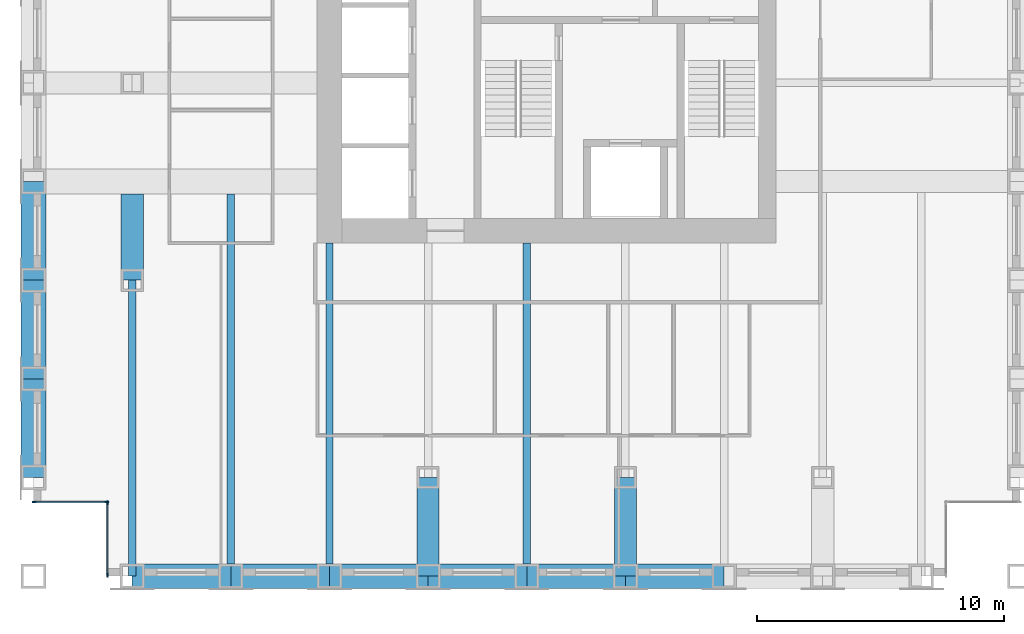
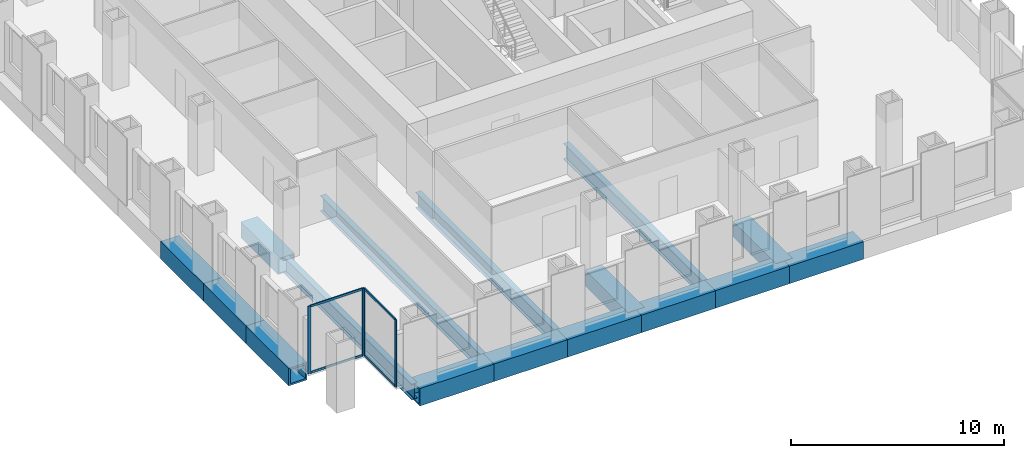
# One storey, part 2 of 12: 16 beams, 8 members, 2 elements without a shape of their own.
"""IFC4 building model written with IfcOpenShell, lengths in metres."""

import ifcopenshell
import ifcopenshell.guid

model = None  # the IFC model being written
_history = None  # IfcOwnerHistory: only IFC2X3 demands one
_inside = {}  # id of a spatial element -> (the spatial element, [elements in it])
_under = {}  # id of a project, library or spatial element -> (it, [spatial elements below it])
_declared = {}  # id of a project -> (the project, [libraries it declares])
_typed = {}  # id of a type object -> (the type object, [elements of that type])
_made_of = {}  # id of a material, layer set ... -> (it, [elements and type objects made of it])


def new_model(schema):
    """Start an empty IFC model of exactly this schema.

    Asked for "IFC4X3", IfcOpenShell would pick the latest addendum, in which some entities
    have other attributes; the version numbers below select the first issue.
    IFC2X3 requires an IfcOwnerHistory on every rooted entity: one is made here for all.
    """
    global model, _history
    if schema == "IFC4X3":
        model = ifcopenshell.file(schema_version=(4, 3, 0, 0))
    else:
        model = ifcopenshell.file(schema=schema)
    _inside.clear()
    _under.clear()
    _declared.clear()
    _typed.clear()
    _made_of.clear()
    _history = None
    if model.schema == "IFC2X3":
        org = make("IfcOrganization", Name="unknown")
        user = make(
            "IfcPersonAndOrganization",
            ThePerson=make("IfcPerson", FamilyName="unknown"),
            TheOrganization=org,
        )
        app = make(
            "IfcApplication",
            ApplicationDeveloper=org,
            Version="unknown",
            ApplicationFullName="unknown",
            ApplicationIdentifier="unknown",
        )
        _history = make(
            "IfcOwnerHistory",
            OwningUser=user,
            OwningApplication=app,
            ChangeAction="ADDED",
            CreationDate=0,
        )
    return model


def make(cls, **values):
    """One entity of the class cls with the attributes given. An attribute that is None is left unset."""
    return model.create_entity(
        cls, **{name: value for name, value in values.items() if value is not None}
    )


def rooted(cls, **values):
    """An entity with a GlobalId (a new one), such as an element, a storey or a relation."""
    return make(cls, GlobalId=ifcopenshell.guid.new(), OwnerHistory=_history, **values)


def si_unit(unit_type, name, prefix=None):
    """IfcSIUnit, for example si_unit("LENGTHUNIT", "METRE", prefix="MILLI")."""
    return make("IfcSIUnit", UnitType=unit_type, Prefix=prefix, Name=name)


def assignment(units):
    """IfcUnitAssignment: the units of a project."""
    return None if units is None else make("IfcUnitAssignment", Units=units)


def point(xyz):
    """IfcCartesianPoint."""
    return None if xyz is None else make("IfcCartesianPoint", Coordinates=xyz)


def direction(xyz):
    """IfcDirection."""
    return None if xyz is None else make("IfcDirection", DirectionRatios=xyz)


def frame(location, z_axis=None, x_axis=None):
    """IfcAxis2Placement3D, a coordinate frame: its origin and axes. An axis left out is left unset."""
    return make(
        "IfcAxis2Placement3D",
        Location=point(location),
        Axis=direction(z_axis),
        RefDirection=direction(x_axis),
    )


def frame_2d(location, x_axis=None):
    """IfcAxis2Placement2D, a coordinate frame in the plane: its origin and x axis."""
    return make(
        "IfcAxis2Placement2D", Location=point(location), RefDirection=direction(x_axis)
    )


def origin():
    """The frame at (0, 0, 0) with its axes left unset."""
    return frame((0.0, 0.0, 0.0))


def origin_2d():
    """The frame at (0, 0) in the plane with its x axis left unset."""
    return frame_2d((0.0, 0.0))


def place(relative_to, where):
    """IfcLocalPlacement: puts the frame where relative to a parent placement (None: the world)."""
    return make(
        "IfcLocalPlacement", PlacementRelTo=relative_to, RelativePlacement=where
    )


def context(
    kind, dimensions, precision=None, world=None, true_north=None, identifier=None
):
    """IfcGeometricRepresentationContext, for example the 3D "Model" context."""
    return make(
        "IfcGeometricRepresentationContext",
        ContextIdentifier=identifier,
        ContextType=kind,
        CoordinateSpaceDimension=dimensions,
        Precision=precision,
        WorldCoordinateSystem=world,
        TrueNorth=true_north,
    )


def subcontext(parent, identifier, kind, view, scale=None):
    """IfcGeometricRepresentationSubContext, for example "Body" below "Model"."""
    return make(
        "IfcGeometricRepresentationSubContext",
        ContextIdentifier=identifier,
        ContextType=kind,
        ParentContext=parent,
        TargetScale=scale,
        TargetView=view,
    )


def project(units=None, contexts=None):
    """IfcProject with its units and contexts."""
    return rooted(
        "IfcProject",
        Name="project",
        RepresentationContexts=contexts,
        UnitsInContext=assignment(units),
    )


def spatial(cls, under=None, at=None, **own):
    """A site, building, storey or space (cls), placed at a placement, below another one or the project."""
    s = rooted(cls, ObjectPlacement=at, **own)
    if under is not None:
        _under.setdefault(under.id(), (under, []))[1].append(s)
    return s


def profile(cls, at=None, kind="AREA", **sizes):
    """A parametric profile (cls). Its sizes go by their IFC names, for example OverallWidth=200.0."""
    return make(cls, ProfileType=kind, Position=at, **sizes)


def rectangle(**sizes):
    """IfcRectangleProfileDef."""
    return profile("IfcRectangleProfileDef", **sizes)


def hollow_rectangle(**sizes):
    """IfcRectangleHollowProfileDef."""
    return profile("IfcRectangleHollowProfileDef", **sizes)


def i_section(**sizes):
    """IfcIShapeProfileDef."""
    return profile("IfcIShapeProfileDef", **sizes)


def extrude(swept, where, along, depth):
    """IfcExtrudedAreaSolid: the profile swept, set in the frame where, extruded along a direction by depth."""
    return make(
        "IfcExtrudedAreaSolid",
        SweptArea=swept,
        Position=where,
        ExtrudedDirection=direction(along),
        Depth=depth,
    )


def shape(context_of_items, identifier, shape_type, items):
    """IfcShapeRepresentation: the items that make up one representation, for example the "Body"."""
    return make(
        "IfcShapeRepresentation",
        ContextOfItems=context_of_items,
        RepresentationIdentifier=identifier,
        RepresentationType=shape_type,
        Items=items,
    )


def material(Name=None, Category=None):
    """IfcMaterial."""
    return make("IfcMaterial", Name=Name, Category=Category)


def material_profile(
    of_material, cross_section, Name=None, Category=None, Priority=None
):
    """IfcMaterialProfile: a cross section and its material."""
    return make(
        "IfcMaterialProfile",
        Name=Name,
        Material=of_material,
        Profile=cross_section,
        Priority=Priority,
        Category=Category,
    )


def profile_set(profiles, Name=None, composite=None):
    """IfcMaterialProfileSet."""
    return make(
        "IfcMaterialProfileSet",
        Name=Name,
        MaterialProfiles=profiles,
        CompositeProfile=composite,
    )


def made_of(thing, what):
    """Note that an element or type object is made of a material, layer set ...; save() writes the relation."""
    if what is not None:
        _made_of.setdefault(what.id(), (what, []))[1].append(thing)
    return thing


def type_object(cls, material=None, **own):
    """A type object (cls), such as IfcWallType, which elements share."""
    return made_of(rooted(cls, **own), material)


def element(
    cls,
    number,
    at=None,
    inside=None,
    cuts=None,
    type_object=None,
    material=None,
    context=None,
    identifier="Body",
    shape_type=None,
    held_by="IfcProductDefinitionShape",
    body=None,
    shapes=None,
    **own,
):
    """One element of the class cls, such as IfcWall. Its Tag is "e" and its number.

    at: its placement. inside: the storey or other place that contains it. cuts: it is an
    opening in that element (IfcRelVoidsElement). A single representation is given by context,
    identifier, shape_type and body (its items); several are given by shapes. held_by: the class
    of the entity that holds the representations. save() writes the other relations.
    """
    e = rooted(cls, Tag="e%d" % number, ObjectPlacement=at, **own)
    if body is not None:
        shapes = [shape(context, identifier, shape_type, body)]
    if shapes is not None:
        e.Representation = make(held_by, Representations=shapes)
    if inside is not None:
        _inside.setdefault(inside.id(), (inside, []))[1].append(e)
    if cuts is not None:
        rooted(
            "IfcRelVoidsElement", RelatingBuildingElement=cuts, RelatedOpeningElement=e
        )
    if type_object is not None:
        _typed.setdefault(type_object.id(), (type_object, []))[1].append(e)
    return made_of(e, material)


def aggregate(whole, parts):
    """IfcRelAggregates: a whole, such as a stair, and the parts it consists of."""
    return rooted("IfcRelAggregates", RelatingObject=whole, RelatedObjects=parts)


def save(model, path):
    """Write the relations noted so far, then the file.

    IfcRelAggregates (storeys below a building ...), IfcRelContainedInSpatialStructure (elements
    in a storey), IfcRelDefinesByType, IfcRelAssociatesMaterial and IfcRelDeclares: one each for
    every whole, place, type object, material and project.
    """
    for whole, parts in _under.values():
        aggregate(whole, parts)
    for where, things in _inside.values():
        rooted(
            "IfcRelContainedInSpatialStructure",
            RelatedElements=things,
            RelatingStructure=where,
        )
    for kind, things in _typed.values():
        rooted("IfcRelDefinesByType", RelatedObjects=things, RelatingType=kind)
    for what, things in _made_of.values():
        rooted("IfcRelAssociatesMaterial", RelatedObjects=things, RelatingMaterial=what)
    for by, libraries in _declared.values():
        rooted("IfcRelDeclares", RelatingContext=by, RelatedDefinitions=libraries)
    model.write(path)


model = new_model("IFC4")

# Units and contexts
model_context = context("Model", 3, precision=1e-05, world=origin(), true_north=direction((0.0, 1.0)))
body_context = subcontext(model_context, "Body", "Model", "MODEL_VIEW")
ifc_project = project(units=[si_unit("LENGTHUNIT", "METRE"), si_unit("AREAUNIT", "SQUARE_METRE"), si_unit("VOLUMEUNIT", "CUBIC_METRE"), si_unit("PLANEANGLEUNIT", "RADIAN"), si_unit("MASSUNIT", "GRAM", prefix="KILO")], contexts=[model_context])

# Site, building, storey
site_placement = place(None, origin())
site = spatial("IfcSite", under=ifc_project, at=site_placement, CompositionType="ELEMENT")
building_placement = place(site_placement, origin())
building = spatial("IfcBuilding", under=site, at=building_placement, Name="Rimbunsela Tower", CompositionType="ELEMENT")
storey_placement = place(building_placement, frame((0.0, 0.0, 159.800048828125)))
storey = spatial("IfcBuildingStorey", under=building, at=storey_placement, Name="L38", CompositionType="ELEMENT", Elevation=159.800048828125)

# Beams
ifc_material_1 = material(Name="Steel BJ 55 (fy 410 MPa)", Category="steel")
ifc_material_profile_1 = material_profile(ifc_material_1, hollow_rectangle(XDim=1.0, YDim=1.0, WallThickness=0.10009765625, at=origin_2d()), Name="BOX 1000x1000x100")
ifc_profile_set_1 = profile_set([ifc_material_profile_1], Name="Steel BJ 55 (fy 410 MPa)")
beam_type_1 = type_object("IfcBeamType", Name="Beam BOX 1000x1000x100", PredefinedType="BEAM", material=ifc_profile_set_1)
for number, where, z_axis, x_axis, name in (
    (1, (6.0, 8.0, -0.650146484375), (0.0, 1.0, 0.0), (-1.0, 0.0, 0.0), "Beam B3 L38"),
    (2, (6.0, 12.0, -0.650146484375), (0.0, 1.0, 0.0), (-1.0, 0.0, 0.0), "Beam B3 L38"),
    (3, (6.0, 16.0, -0.650146484375), (0.0, 1.0, 0.0), (-1.0, 0.0, 0.0), "Beam B3 L38"),
    (4, (10.0, 4.0, -0.650146484375), (1.0, 0.0, 0.0), (0.0, 1.0, 0.0), "Beam B3 L38"),
    (5, (14.0, 4.0, -0.650146484375), (1.0, 0.0, 0.0), (0.0, 1.0, 0.0), "Beam B3 L38"),
    (6, (18.0, 4.0, -0.650146484375), (1.0, 0.0, 0.0), (0.0, 1.0, 0.0), "Beam B3 L38"),
    (7, (22.0, 4.0, -0.650146484375), (1.0, 0.0, 0.0), (0.0, 1.0, 0.0), "Beam B3 L38"),
    (8, (26.0, 4.0, -0.650146484375), (1.0, 0.0, 0.0), (0.0, 1.0, 0.0), "Beam B3 L38"),
    (9, (30.0, 4.0, -0.650146484375), (1.0, 0.0, 0.0), (0.0, 1.0, 0.0), "Beam B3 L38"),
):
    element("IfcBeam", number, at=place(storey_placement, frame(where, z_axis=z_axis, x_axis=x_axis)), inside=storey, type_object=beam_type_1, Name=name, PredefinedType="BEAM", context=body_context, shape_type="SweptSolid", body=[
        extrude(hollow_rectangle(XDim=1.0, YDim=1.0, WallThickness=0.10009765625, at=origin_2d()), origin(), (0.0, 0.0, 1.0), 4.0),
    ])
ifc_material_2 = material(Name="Steel BJ 55 (fy 410 MPa)", Category="steel")
ifc_material_profile_2 = material_profile(ifc_material_2, hollow_rectangle(XDim=0.89990234375, YDim=0.89990234375, WallThickness=0.06005859375, at=origin_2d()), Name="BOX 900x900x60")
ifc_profile_set_2 = profile_set([ifc_material_profile_2], Name="Steel BJ 55 (fy 410 MPa)")
beam_type_2 = type_object("IfcBeamType", Name="Beam BOX 900x900x60", PredefinedType="BEAM", material=ifc_profile_set_2)
beam_1_placement = place(storey_placement, frame((10.0, 16.0, -0.60009765625), z_axis=(0.0, 1.0, 0.0), x_axis=(-1.0, 0.0, 0.0)))
element("IfcBeam", 10, at=beam_1_placement, inside=storey, type_object=beam_type_2, Name="Beam B1 L38", PredefinedType="BEAM", context=body_context, shape_type="SweptSolid", body=[
    extrude(hollow_rectangle(XDim=0.89990234375, YDim=0.89990234375, WallThickness=0.06005859375, at=origin_2d()), origin(), (0.0, 0.0, 1.0), 3.5),
])
for number, where, z_axis, x_axis, name in (
    (11, (22.0, 4.0, -0.60009765625), (0.0, 1.0, 0.0), (-1.0, 0.0, 0.0), "Beam B1 L38"),
    (12, (30.0, 4.0, -0.60009765625), (0.0, 1.0, 0.0), (-1.0, 0.0, 0.0), "Beam B1 L38"),
):
    element("IfcBeam", number, at=place(storey_placement, frame(where, z_axis=z_axis, x_axis=x_axis)), inside=storey, type_object=beam_type_2, Name=name, PredefinedType="BEAM", context=body_context, shape_type="SweptSolid", body=[
        extrude(hollow_rectangle(XDim=0.89990234375, YDim=0.89990234375, WallThickness=0.06005859375, at=origin_2d()), origin(), (0.0, 0.0, 1.0), 4.0),
    ])
ifc_material_3 = material(Name="Steel BJ 55 (fy 410 MPa)", Category="steel")
ifc_material_profile_3 = material_profile(ifc_material_3, i_section(OverallWidth=0.300048828125, OverallDepth=0.89990234375, WebThickness=0.01611328125, FlangeThickness=0.028076171875, FilletRadius=0.028076171875, at=origin_2d()), Name="H 900x300x16x28")
ifc_profile_set_3 = profile_set([ifc_material_profile_3], Name="Steel BJ 55 (fy 410 MPa)")
beam_type_3 = type_object("IfcBeamType", Name="Beam H 900x300x16x28", PredefinedType="BEAM", material=ifc_profile_set_3)
beam_2_placement = place(storey_placement, frame((10.0, 4.0, -0.60009765625), z_axis=(0.0, 1.0, 0.0), x_axis=(-1.0, 0.0, 0.0)))
element("IfcBeam", 13, at=beam_2_placement, inside=storey, type_object=beam_type_3, Name="Beam B2 L38", PredefinedType="BEAM", context=body_context, shape_type="SweptSolid", body=[
    extrude(i_section(OverallWidth=0.300048828125, OverallDepth=0.89990234375, WebThickness=0.01611328125, FlangeThickness=0.028076171875, FilletRadius=0.028076171875, at=origin_2d()), origin(), (0.0, 0.0, 1.0), 12.0),
])
beam_3_placement = place(storey_placement, frame((14.0, 4.0, -0.60009765625), z_axis=(0.0, 1.0, 0.0), x_axis=(-1.0, 0.0, 0.0)))
element("IfcBeam", 14, at=beam_3_placement, inside=storey, type_object=beam_type_3, Name="Beam B2 L38", PredefinedType="BEAM", context=body_context, shape_type="SweptSolid", body=[
    extrude(i_section(OverallWidth=0.300048828125, OverallDepth=0.89990234375, WebThickness=0.01611328125, FlangeThickness=0.028076171875, FilletRadius=0.028076171875, at=origin_2d()), origin(), (0.0, 0.0, 1.0), 15.5),
])
for number, where, z_axis, x_axis, name in (
    (15, (18.0, 4.0, -0.60009765625), (0.0, 1.0, 0.0), (-1.0, 0.0, 0.0), "Beam B2 L38"),
    (16, (26.0, 4.0, -0.60009765625), (0.0, 1.0, 0.0), (-1.0, 0.0, 0.0), "Beam B2 L38"),
):
    element("IfcBeam", number, at=place(storey_placement, frame(where, z_axis=z_axis, x_axis=x_axis)), inside=storey, type_object=beam_type_3, Name=name, PredefinedType="BEAM", context=body_context, shape_type="SweptSolid", body=[
        extrude(i_section(OverallWidth=0.300048828125, OverallDepth=0.89990234375, WebThickness=0.01611328125, FlangeThickness=0.028076171875, FilletRadius=0.028076171875, at=origin_2d()), origin(), (0.0, 0.0, 1.0), 13.5),
    ])

# Curtain wall, members
ifc_material_4 = material(Name="Aluminium curtain wall", Category="aluminium")
curtain_wall_type = type_object("IfcCurtainWallType", Name="Corner glazing", PredefinedType="USERDEFINED", material=ifc_material_4)
curtain_wall_1_placement = place(storey_placement, origin())
curtain_wall_1 = element("IfcCurtainWall", 17, at=curtain_wall_1_placement, inside=storey, type_object=curtain_wall_type, Name="Corner glazing L38", ObjectType="CORNER GLAZING", PredefinedType="USERDEFINED")
ifc_material_5 = material(Name="Aluminium mullion", Category="aluminium")
ifc_material_profile_4 = material_profile(ifc_material_5, rectangle(XDim=0.06005859375, YDim=0.159912109375, at=origin_2d()), Name="Mullion 60x160")
ifc_profile_set_4 = profile_set([ifc_material_profile_4], Name="Aluminium mullion")
member_type_1 = type_object("IfcMemberType", Name="Curtain wall mullion 60x160", PredefinedType="MULLION", material=ifc_profile_set_4)
member_1_placement = place(storey_placement, frame((6.030029296875, 7.0, 0.0), z_axis=(0.0, 0.0, 1.0), x_axis=(0.0, 1.0, 0.0)))
member_1 = element("IfcMember", 18, at=member_1_placement, type_object=member_type_1, Name="CW5 mullion 1", PredefinedType="MULLION", context=body_context, shape_type="SweptSolid", body=[
    extrude(rectangle(XDim=0.06005859375, YDim=0.159912109375, at=origin_2d()), origin(), (0.0, 0.0, 1.0), 3.849853515625),
])
member_2_placement = place(storey_placement, frame((8.969970703125, 7.0, 0.0), z_axis=(0.0, 0.0, 1.0), x_axis=(0.0, 1.0, 0.0)))
member_2 = element("IfcMember", 19, at=member_2_placement, type_object=member_type_1, Name="CW5 mullion 2", PredefinedType="MULLION", context=body_context, shape_type="SweptSolid", body=[
    extrude(rectangle(XDim=0.06005859375, YDim=0.159912109375, at=origin_2d()), origin(), (0.0, 0.0, 1.0), 3.849853515625),
])

curtain_wall_2_placement = place(storey_placement, origin())
curtain_wall_2 = element("IfcCurtainWall", 20, at=curtain_wall_2_placement, inside=storey, type_object=curtain_wall_type, Name="Corner glazing L38", ObjectType="CORNER GLAZING", PredefinedType="USERDEFINED")
member_3_placement = place(storey_placement, frame((9.0, 6.969970703125, 0.0), z_axis=(0.0, 0.0, 1.0), x_axis=(1.0, 0.0, 0.0)))
member_3 = element("IfcMember", 21, at=member_3_placement, type_object=member_type_1, Name="CW5 mullion 1", PredefinedType="MULLION", context=body_context, shape_type="SweptSolid", body=[
    extrude(rectangle(XDim=0.06005859375, YDim=0.159912109375, at=origin_2d()), origin(), (0.0, 0.0, 1.0), 3.849853515625),
])
member_4_placement = place(storey_placement, frame((9.0, 4.030029296875, 0.0), z_axis=(0.0, 0.0, 1.0), x_axis=(1.0, 0.0, 0.0)))
member_4 = element("IfcMember", 22, at=member_4_placement, type_object=member_type_1, Name="CW5 mullion 2", PredefinedType="MULLION", context=body_context, shape_type="SweptSolid", body=[
    extrude(rectangle(XDim=0.06005859375, YDim=0.159912109375, at=origin_2d()), origin(), (0.0, 0.0, 1.0), 3.849853515625),
])

# Member
ifc_material_6 = material(Name="Aluminium transom", Category="aluminium")
ifc_material_profile_5 = material_profile(ifc_material_6, rectangle(XDim=0.06005859375, YDim=0.1201171875, at=origin_2d()), Name="Transom 60x120")
ifc_profile_set_5 = profile_set([ifc_material_profile_5], Name="Aluminium transom")
member_type_2 = type_object("IfcMemberType", Name="Curtain wall transom 60x120", PredefinedType="USERDEFINED", material=ifc_profile_set_5)
member_5_placement = place(storey_placement, frame((6.06005859375, 7.0, 0.030029296875), z_axis=(1.0, 0.0, 0.0), x_axis=(0.0, 1.0, 0.0)))
member_5 = element("IfcMember", 23, at=member_5_placement, type_object=member_type_2, Name="CW5 transom 1.1", ObjectType="TRANSOM", PredefinedType="USERDEFINED", context=body_context, shape_type="SweptSolid", body=[
    extrude(rectangle(XDim=0.06005859375, YDim=0.1201171875, at=origin_2d()), origin(), (0.0, 0.0, 1.0), 2.8798828125),
])

member_6_placement = place(storey_placement, frame((6.06005859375, 7.0, 3.820068359375), z_axis=(1.0, 0.0, 0.0), x_axis=(0.0, 1.0, 0.0)))
member_6 = element("IfcMember", 24, at=member_6_placement, type_object=member_type_2, Name="CW5 transom 1.2", ObjectType="TRANSOM", PredefinedType="USERDEFINED", context=body_context, shape_type="SweptSolid", body=[
    extrude(rectangle(XDim=0.06005859375, YDim=0.1201171875, at=origin_2d()), origin(), (0.0, 0.0, 1.0), 2.8798828125),
])

aggregate(curtain_wall_1, [member_1, member_2, member_5, member_6])

member_7_placement = place(storey_placement, frame((9.0, 6.93994140625, 0.030029296875), z_axis=(0.0, -1.0, 0.0), x_axis=(1.0, 0.0, 0.0)))
member_7 = element("IfcMember", 25, at=member_7_placement, type_object=member_type_2, Name="CW5 transom 1.1", ObjectType="TRANSOM", PredefinedType="USERDEFINED", context=body_context, shape_type="SweptSolid", body=[
    extrude(rectangle(XDim=0.06005859375, YDim=0.1201171875, at=origin_2d()), origin(), (0.0, 0.0, 1.0), 2.8798828125),
])

member_8_placement = place(storey_placement, frame((9.0, 6.93994140625, 3.820068359375), z_axis=(0.0, -1.0, 0.0), x_axis=(1.0, 0.0, 0.0)))
member_8 = element("IfcMember", 26, at=member_8_placement, type_object=member_type_2, Name="CW5 transom 1.2", ObjectType="TRANSOM", PredefinedType="USERDEFINED", context=body_context, shape_type="SweptSolid", body=[
    extrude(rectangle(XDim=0.06005859375, YDim=0.1201171875, at=origin_2d()), origin(), (0.0, 0.0, 1.0), 2.8798828125),
])

aggregate(curtain_wall_2, [member_3, member_4, member_7, member_8])

save(model, "model.ifc")
